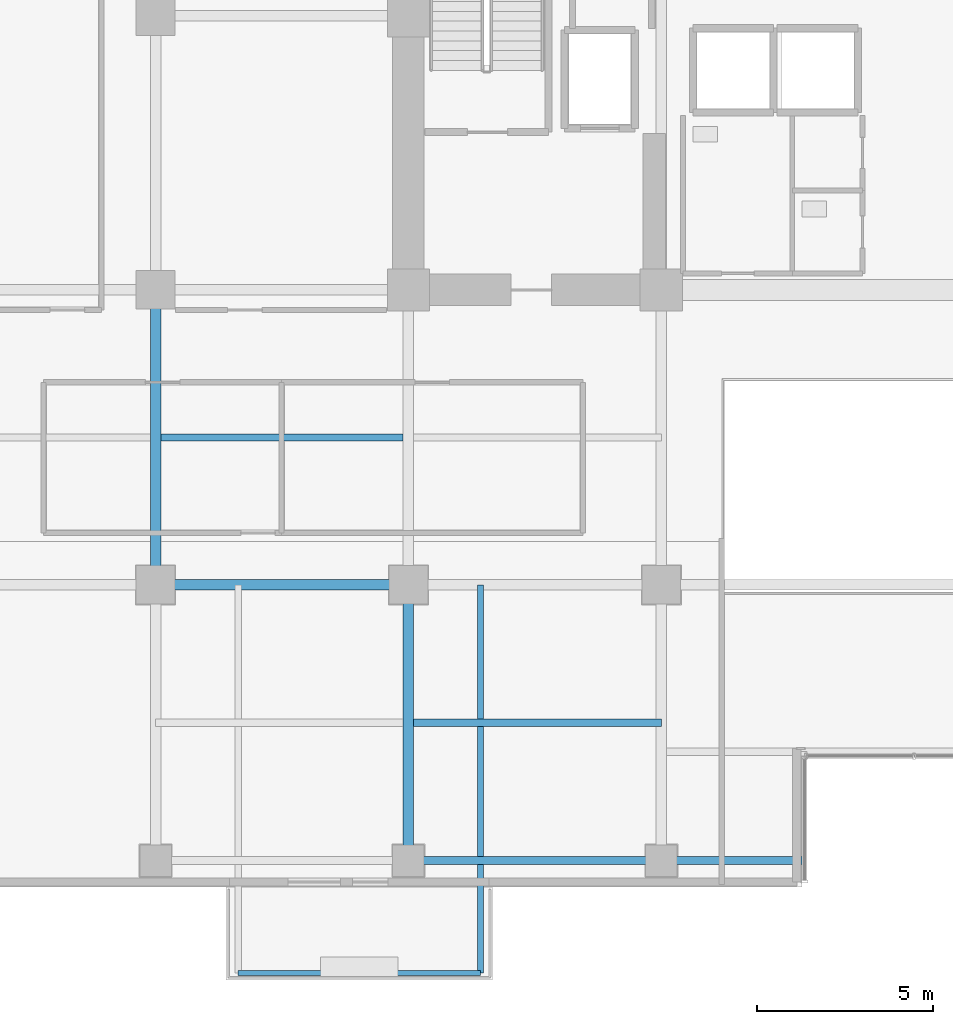
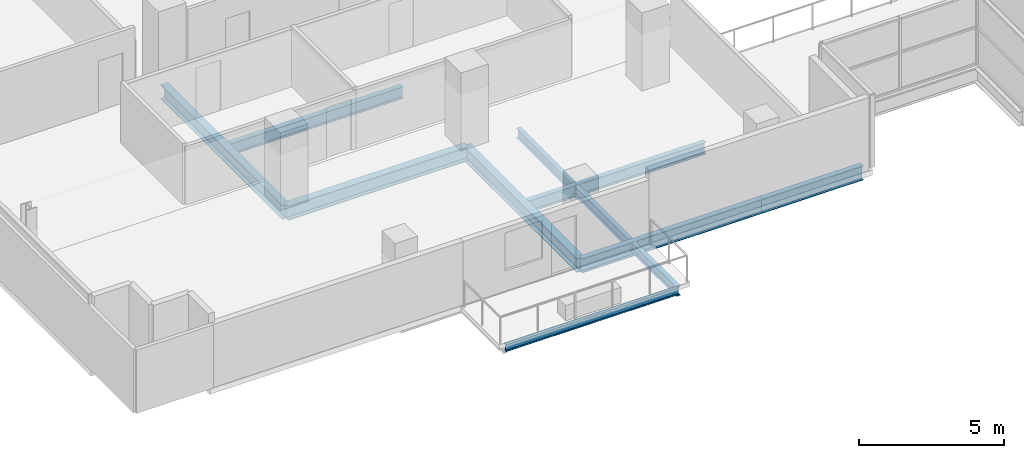
# One storey, part 5 of 30: 9 beams.
"""IFC4 building model written with IfcOpenShell, lengths in metres."""

from ifc_helpers import new_model, si_unit, direction, frame, origin, origin_2d, place, context, subcontext, project, spatial, i_section, extrude, material, material_profile, profile_set, type_object, element, save


model = new_model("IFC4")

# Units and contexts
model_context = context("Model", 3, precision=1e-05, world=origin(), true_north=direction((0.0, 1.0)))
body_context = subcontext(model_context, "Body", "Model", "MODEL_VIEW")
ifc_project = project(units=[si_unit("LENGTHUNIT", "METRE"), si_unit("AREAUNIT", "SQUARE_METRE"), si_unit("VOLUMEUNIT", "CUBIC_METRE"), si_unit("PLANEANGLEUNIT", "RADIAN"), si_unit("MASSUNIT", "GRAM", prefix="KILO")], contexts=[model_context])

# Site, building, storey
site_placement = place(None, origin())
site = spatial("IfcSite", under=ifc_project, at=site_placement, CompositionType="ELEMENT")
building_placement = place(site_placement, origin())
building = spatial("IfcBuilding", under=site, at=building_placement, Name="Zarnakvel Exchange Tower", CompositionType="ELEMENT")
storey_placement = place(building_placement, frame((0.0, 0.0, 43.89990234375)))
storey = spatial("IfcBuildingStorey", under=building, at=storey_placement, Name="L11", CompositionType="ELEMENT", Elevation=43.89990234375)

# Beams
ifc_material = material(Name="Steel S355", Category="steel")
ifc_material_profile_1 = material_profile(ifc_material, i_section(OverallWidth=0.199951171875, OverallDepth=0.5, WebThickness=0.01025390625, FlangeThickness=0.01611328125, FilletRadius=0.02099609375, at=origin_2d()))
ifc_profile_set_1 = profile_set([ifc_material_profile_1], Name="Steel S355")
beam_type_1 = type_object("IfcBeamType", Name="B-04", PredefinedType="JOIST", material=ifc_profile_set_1)
beam_1_placement = place(storey_placement, frame((-14.25, -13.52490234375, -0.474853515625), z_axis=(1.0, 0.0, 0.0), x_axis=(0.0, 1.0, 0.0)))
element("IfcBeam", 1, at=beam_1_placement, inside=storey, type_object=beam_type_1, Name="L11 Composite Floor Secondary Joist", PredefinedType="JOIST", context=body_context, shape_type="SweptSolid", body=[
    extrude(i_section(OverallWidth=0.199951171875, OverallDepth=0.5, WebThickness=0.01025390625, FlangeThickness=0.01611328125, FilletRadius=0.02099609375, at=origin_2d()), origin(), (0.0, 0.0, 1.0), 7.050048828125),
])
beam_2_placement = place(storey_placement, frame((-21.449951171875, -5.39990234375, -0.474853515625), z_axis=(1.0, 0.0, 0.0), x_axis=(0.0, 1.0, 0.0)))
element("IfcBeam", 2, at=beam_2_placement, inside=storey, type_object=beam_type_1, Name="L11 Composite Floor Secondary Joist", PredefinedType="JOIST", context=body_context, shape_type="SweptSolid", body=[
    extrude(i_section(OverallWidth=0.199951171875, OverallDepth=0.5, WebThickness=0.01025390625, FlangeThickness=0.01611328125, FilletRadius=0.02099609375, at=origin_2d()), origin(), (0.0, 0.0, 1.0), 6.89990234375),
])
ifc_material_profile_2 = material_profile(ifc_material, i_section(OverallWidth=0.179931640625, OverallDepth=0.39990234375, WebThickness=0.008544921875, FlangeThickness=0.013427734375, FilletRadius=0.02099609375, at=origin_2d()))
ifc_profile_set_2 = profile_set([ifc_material_profile_2], Name="Steel S355")
beam_type_2 = type_object("IfcBeamType", Name="B-06", PredefinedType="JOIST", material=ifc_profile_set_2)
beam_3_placement = place(storey_placement, frame((-12.35009765625, -9.60009765625, -0.4248046875), z_axis=(0.0, -1.0, 0.0), x_axis=(1.0, 0.0, 0.0)))
element("IfcBeam", 3, at=beam_3_placement, inside=storey, type_object=beam_type_2, Name="L11 Continuous Back-Spanned Balcony Beam E", PredefinedType="JOIST", context=body_context, shape_type="SweptSolid", body=[
    extrude(i_section(OverallWidth=0.179931640625, OverallDepth=0.39990234375, WebThickness=0.008544921875, FlangeThickness=0.013427734375, FilletRadius=0.02099609375, at=origin_2d()), origin(), (0.0, 0.0, 1.0), 11.0498046875),
])
ifc_material_profile_3 = material_profile(ifc_material, i_section(OverallWidth=0.14990234375, OverallDepth=0.300048828125, WebThickness=0.007080078125, FlangeThickness=0.0107421875, FilletRadius=0.014892578125, at=origin_2d()))
ifc_profile_set_3 = profile_set([ifc_material_profile_3], Name="Steel S355")
beam_type_3 = type_object("IfcBeamType", Name="B-08", PredefinedType="JOIST", material=ifc_profile_set_3)
beam_4_placement = place(storey_placement, frame((-19.25, -20.64990234375, -0.375), z_axis=(1.0, 0.0, 0.0), x_axis=(0.0, 1.0, 0.0)))
element("IfcBeam", 4, at=beam_4_placement, inside=storey, type_object=beam_type_3, Name="L11 Balcony Edge Beam", PredefinedType="JOIST", context=body_context, shape_type="SweptSolid", body=[
    extrude(i_section(OverallWidth=0.14990234375, OverallDepth=0.300048828125, WebThickness=0.007080078125, FlangeThickness=0.0107421875, FilletRadius=0.014892578125, at=origin_2d()), origin(), (0.0, 0.0, 1.0), 6.89990234375),
])
ifc_material_profile_4 = material_profile(ifc_material, i_section(OverallWidth=0.300048828125, OverallDepth=0.60009765625, WebThickness=0.015380859375, FlangeThickness=0.030029296875, FilletRadius=0.027099609375, at=origin_2d()))
ifc_profile_set_4 = profile_set([ifc_material_profile_4], Name="Steel S355")
beam_type_4 = type_object("IfcBeamType", Name="G-04", PredefinedType="BEAM", material=ifc_profile_set_4)
beam_5_placement = place(storey_placement, frame((-21.60009765625, -9.60009765625, -0.52490234375), z_axis=(1.0, 0.0, 0.0), x_axis=(0.0, 1.0, 0.0)))
element("IfcBeam", 5, at=beam_5_placement, inside=storey, type_object=beam_type_4, Name="L11 Tower E-W Frame Beam", PredefinedType="BEAM", context=body_context, shape_type="SweptSolid", body=[
    extrude(i_section(OverallWidth=0.300048828125, OverallDepth=0.60009765625, WebThickness=0.015380859375, FlangeThickness=0.030029296875, FilletRadius=0.027099609375, at=origin_2d()), origin(), (0.0, 0.0, 1.0), 7.2001953125),
])
beam_6_placement = place(storey_placement, frame((-21.60009765625, -9.60009765625, -0.52490234375), z_axis=(0.0, 1.0, 0.0), x_axis=(-1.0, 0.0, 0.0)))
element("IfcBeam", 6, at=beam_6_placement, inside=storey, type_object=beam_type_4, Name="L11 Tower N-S Frame Beam", PredefinedType="BEAM", context=body_context, shape_type="SweptSolid", body=[
    extrude(i_section(OverallWidth=0.300048828125, OverallDepth=0.60009765625, WebThickness=0.015380859375, FlangeThickness=0.030029296875, FilletRadius=0.027099609375, at=origin_2d()), origin(), (0.0, 0.0, 1.0), 8.400146484375),
])
beam_7_placement = place(storey_placement, frame((-14.39990234375, -17.449951171875, -0.52490234375), z_axis=(0.0, 1.0, 0.0), x_axis=(-1.0, 0.0, 0.0)))
element("IfcBeam", 7, at=beam_7_placement, inside=storey, type_object=beam_type_4, Name="L11 Tower N-S Frame Beam", PredefinedType="BEAM", context=body_context, shape_type="SweptSolid", body=[
    extrude(i_section(OverallWidth=0.300048828125, OverallDepth=0.60009765625, WebThickness=0.015380859375, FlangeThickness=0.030029296875, FilletRadius=0.027099609375, at=origin_2d()), origin(), (0.0, 0.0, 1.0), 7.849853515625),
])
ifc_material_profile_5 = material_profile(ifc_material, i_section(OverallWidth=0.219970703125, OverallDepth=0.60009765625, WebThickness=0.011962890625, FlangeThickness=0.01904296875, FilletRadius=0.02392578125, at=origin_2d()))
ifc_profile_set_5 = profile_set([ifc_material_profile_5], Name="Steel S355")
beam_type_5 = type_object("IfcBeamType", Name="SP-01", PredefinedType="SPANDREL", material=ifc_profile_set_5)
beam_8_placement = place(storey_placement, frame((-14.39990234375, -17.449951171875, -0.52490234375), z_axis=(1.0, 0.0, 0.0), x_axis=(0.0, 1.0, 0.0)))
element("IfcBeam", 8, at=beam_8_placement, inside=storey, type_object=beam_type_5, Name="L11 Tower E-W Frame Beam", PredefinedType="SPANDREL", context=body_context, shape_type="SweptSolid", body=[
    extrude(i_section(OverallWidth=0.219970703125, OverallDepth=0.60009765625, WebThickness=0.011962890625, FlangeThickness=0.01904296875, FilletRadius=0.02392578125, at=origin_2d()), origin(), (0.0, 0.0, 1.0), 7.199951171875),
])
beam_9_placement = place(storey_placement, frame((-7.199951171875, -17.449951171875, -0.52490234375), z_axis=(1.0, 0.0, 0.0), x_axis=(0.0, 1.0, 0.0)))
element("IfcBeam", 9, at=beam_9_placement, inside=storey, type_object=beam_type_5, Name="L11 South Slot West Jamb Spandrel", PredefinedType="SPANDREL", context=body_context, shape_type="SweptSolid", body=[
    extrude(i_section(OverallWidth=0.219970703125, OverallDepth=0.60009765625, WebThickness=0.011962890625, FlangeThickness=0.01904296875, FilletRadius=0.02392578125, at=origin_2d()), origin(), (0.0, 0.0, 1.0), 4.0),
])

save(model, "model.ifc")
